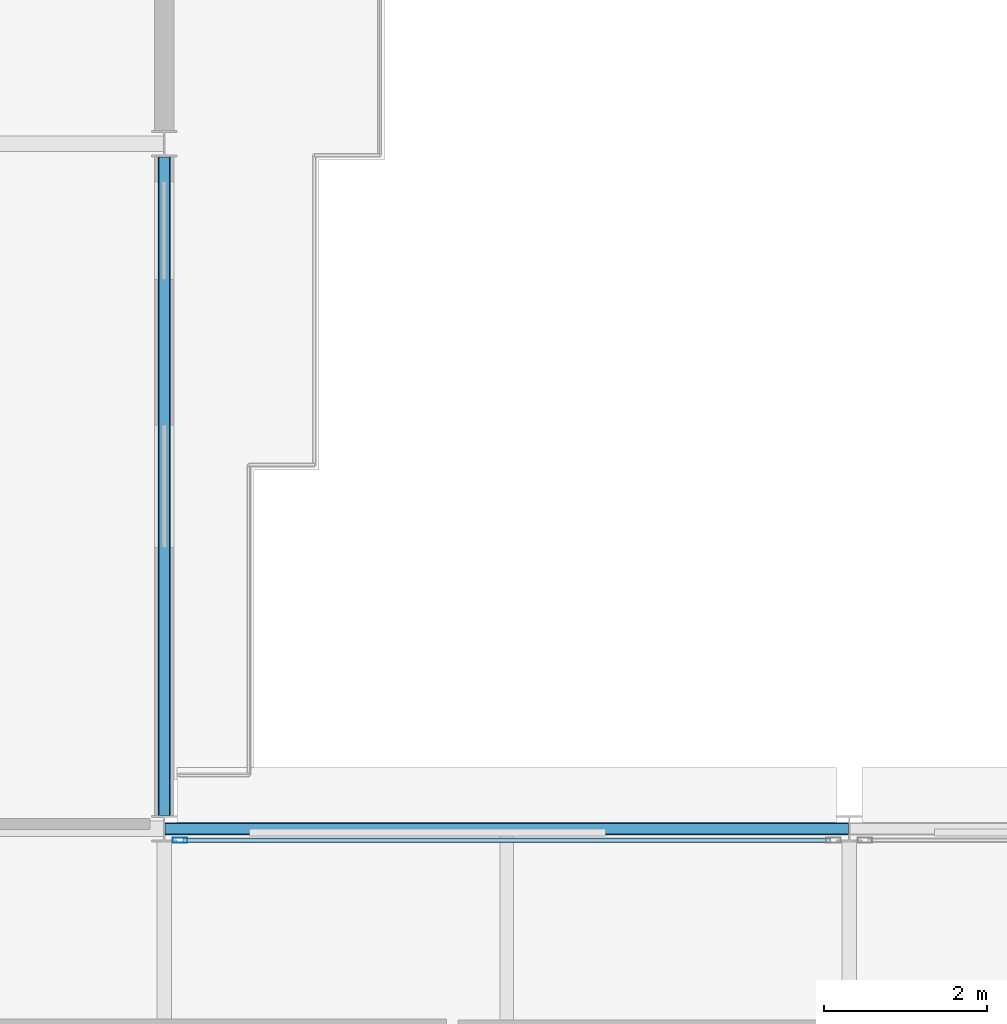
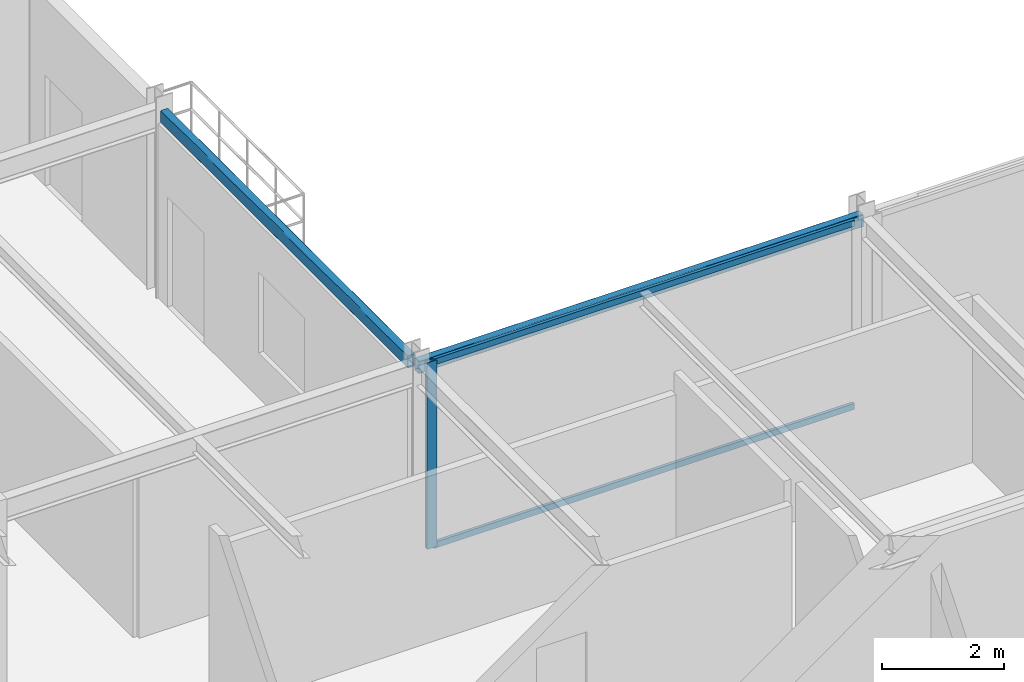
# One storey, part 13 of 27: 3 members, 2 beams, 1 element without a shape of its own.
"""IFC4 building model written with IfcOpenShell, lengths in metres."""

from ifc_helpers import new_model, si_unit, direction, frame, origin, origin_2d, place, context, subcontext, project, spatial, hollow_rectangle, extrude, material, layer, layer_set, material_profile, profile_set, type_object, element, aggregate, save


model = new_model("IFC4")

# Units and contexts
model_context = context("Model", 3, precision=1e-05, world=origin(), true_north=direction((0.0, 1.0)))
body_context = subcontext(model_context, "Body", "Model", "MODEL_VIEW")
ifc_project = project(units=[si_unit("LENGTHUNIT", "METRE"), si_unit("AREAUNIT", "SQUARE_METRE"), si_unit("VOLUMEUNIT", "CUBIC_METRE"), si_unit("PLANEANGLEUNIT", "RADIAN"), si_unit("MASSUNIT", "GRAM", prefix="KILO")], contexts=[model_context])

# Site, building, storey
site_placement = place(None, origin())
site = spatial("IfcSite", under=ifc_project, at=site_placement, CompositionType="ELEMENT")
building_placement = place(site_placement, origin())
building = spatial("IfcBuilding", under=site, at=building_placement, Name="Nerrivon Quay Data Exchange", CompositionType="ELEMENT")
storey_placement = place(building_placement, frame((0.0, 0.0, 254.199951171875)))
storey = spatial("IfcBuildingStorey", under=building, at=storey_placement, Name="L60", CompositionType="ELEMENT", Elevation=254.199951171875)

# Beams
ifc_material_1 = material(Name="Steel Grade C350L0 (350 MPa)", Category="steel")
ifc_material_profile_1 = material_profile(ifc_material_1, hollow_rectangle(XDim=0.14990234375, YDim=0.25, WallThickness=0.009033203125, InnerFilletRadius=0.013427734375, OuterFilletRadius=0.0224609375, at=origin_2d()), Name="250x150x9.0RHS")
ifc_profile_set_1 = profile_set([ifc_material_profile_1], Name="Steel Grade C350L0 (350 MPa)")
beam_type = type_object("IfcBeamType", Name="BM-SP4-250x150RHS", PredefinedType="SPANDREL", material=ifc_profile_set_1)
beam_1_placement = place(storey_placement, frame((25.2080078125, 25.199951171875, 3.60009765625), z_axis=(1.0, 0.0, 0.0), x_axis=(0.0, 1.0, 0.0)))
element("IfcBeam", 1, at=beam_1_placement, inside=storey, type_object=beam_type, Name="L60 EW Girder Y=25.2 (25.2..33.6)", PredefinedType="SPANDREL", context=body_context, shape_type="SweptSolid", body=[
    extrude(hollow_rectangle(XDim=0.14990234375, YDim=0.25, WallThickness=0.009033203125, InnerFilletRadius=0.013427734375, OuterFilletRadius=0.0224609375, at=origin_2d()), origin(), (0.0, 0.0, 1.0), 8.38427734375),
])
beam_2_placement = place(storey_placement, frame((25.199951171875, 25.363525390625, 3.60009765625), z_axis=(0.0, 1.0, 0.0), x_axis=(-1.0, 0.0, 0.0)))
element("IfcBeam", 2, at=beam_2_placement, inside=storey, type_object=beam_type, Name="L60 NS Girder X=25.2 (25.2..33.6)", PredefinedType="SPANDREL", context=body_context, shape_type="SweptSolid", body=[
    extrude(hollow_rectangle(XDim=0.14990234375, YDim=0.25, WallThickness=0.009033203125, InnerFilletRadius=0.013427734375, OuterFilletRadius=0.0224609375, at=origin_2d()), origin(), (0.0, 0.0, 1.0), 8.072998046875),
])

# Curtain wall, members
ifc_material_2 = material(Name="Anodised aluminium 6063-T6", Category="aluminium")
ifc_layer = layer(ifc_material_2, 0.195068359375)
ifc_layer_set = layer_set([ifc_layer], Name="Anodised aluminium 6063-T6")
curtain_wall_type = type_object("IfcCurtainWallType", Name="CW-SYS-06", PredefinedType="NOTDEFINED", material=ifc_layer_set)
curtain_wall_placement = place(storey_placement, origin())
curtain_wall = element("IfcCurtainWall", 3, at=curtain_wall_placement, inside=storey, type_object=curtain_wall_type, Name="L60 Unitised Curtain Wall 24", PredefinedType="NOTDEFINED")
ifc_material_profile_2 = material_profile(ifc_material_2, hollow_rectangle(XDim=0.06494140625, YDim=0.179931640625, WallThickness=0.00341796875, at=origin_2d()), Name="ALU-MULL-180x65")
ifc_profile_set_2 = profile_set([ifc_material_profile_2], Name="Anodised aluminium 6063-T6")
member_type_1 = type_object("IfcMemberType", Name="CWM-180x65", PredefinedType="MULLION", material=ifc_profile_set_2)
member_1_placement = place(storey_placement, frame((25.39306640625, 25.06005859375, 0.0), z_axis=(0.0, 0.0, 1.0), x_axis=(0.0, 1.0, 0.0)))
member_1 = element("IfcMember", 4, at=member_1_placement, type_object=member_type_1, Name="CW06 mullion 1", PredefinedType="MULLION", context=body_context, shape_type="SweptSolid", body=[
    extrude(hollow_rectangle(XDim=0.06494140625, YDim=0.179931640625, WallThickness=0.00341796875, at=origin_2d()), origin(), (0.0, 0.0, 1.0), 3.72509765625),
])
ifc_material_profile_3 = material_profile(ifc_material_2, hollow_rectangle(XDim=0.06005859375, YDim=0.1201171875, WallThickness=0.003173828125, at=origin_2d()), Name="ALU-TRAN-120x60")
ifc_profile_set_3 = profile_set([ifc_material_profile_3], Name="Anodised aluminium 6063-T6")
member_type_2 = type_object("IfcMemberType", Name="CWT-120x60", PredefinedType="USERDEFINED", material=ifc_profile_set_3)
member_2_placement = place(storey_placement, frame((25.430419921875, 25.06005859375, 0.032470703125), z_axis=(1.0, 0.0, 0.0), x_axis=(0.0, 1.0, 0.0)))
member_2 = element("IfcMember", 5, at=member_2_placement, type_object=member_type_2, Name="CW06 transom 1.1", ObjectType="TRANSOM", PredefinedType="USERDEFINED", context=body_context, shape_type="SweptSolid", body=[
    extrude(hollow_rectangle(XDim=0.06005859375, YDim=0.1201171875, WallThickness=0.003173828125, at=origin_2d()), origin(), (0.0, 0.0, 1.0), 7.93896484375),
])
member_3_placement = place(storey_placement, frame((25.430419921875, 25.06005859375, 3.692626953125), z_axis=(1.0, 0.0, 0.0), x_axis=(0.0, 1.0, 0.0)))
member_3 = element("IfcMember", 6, at=member_3_placement, type_object=member_type_2, Name="CW06 transom 1.2", ObjectType="TRANSOM", PredefinedType="USERDEFINED", context=body_context, shape_type="SweptSolid", body=[
    extrude(hollow_rectangle(XDim=0.06005859375, YDim=0.1201171875, WallThickness=0.003173828125, at=origin_2d()), origin(), (0.0, 0.0, 1.0), 7.93896484375),
])
aggregate(curtain_wall, [member_1, member_2, member_3])

save(model, "model.ifc")
